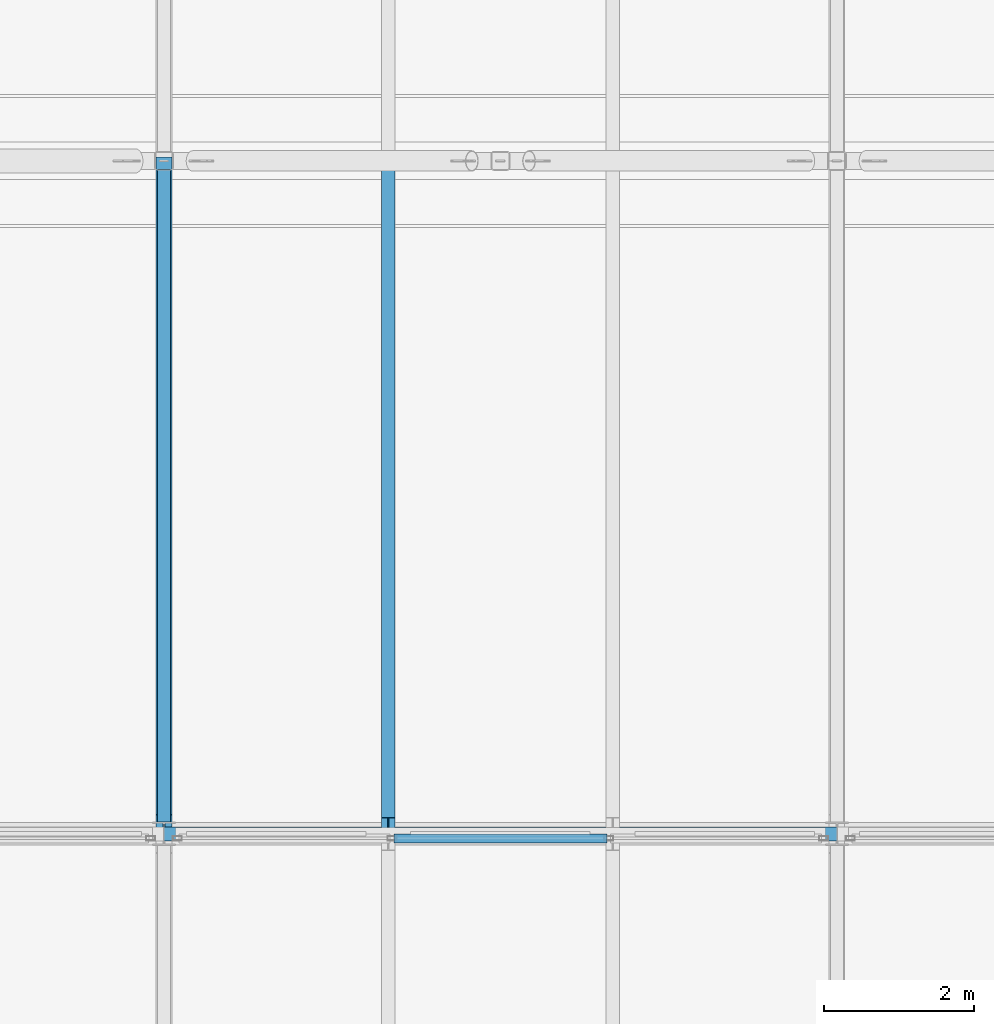
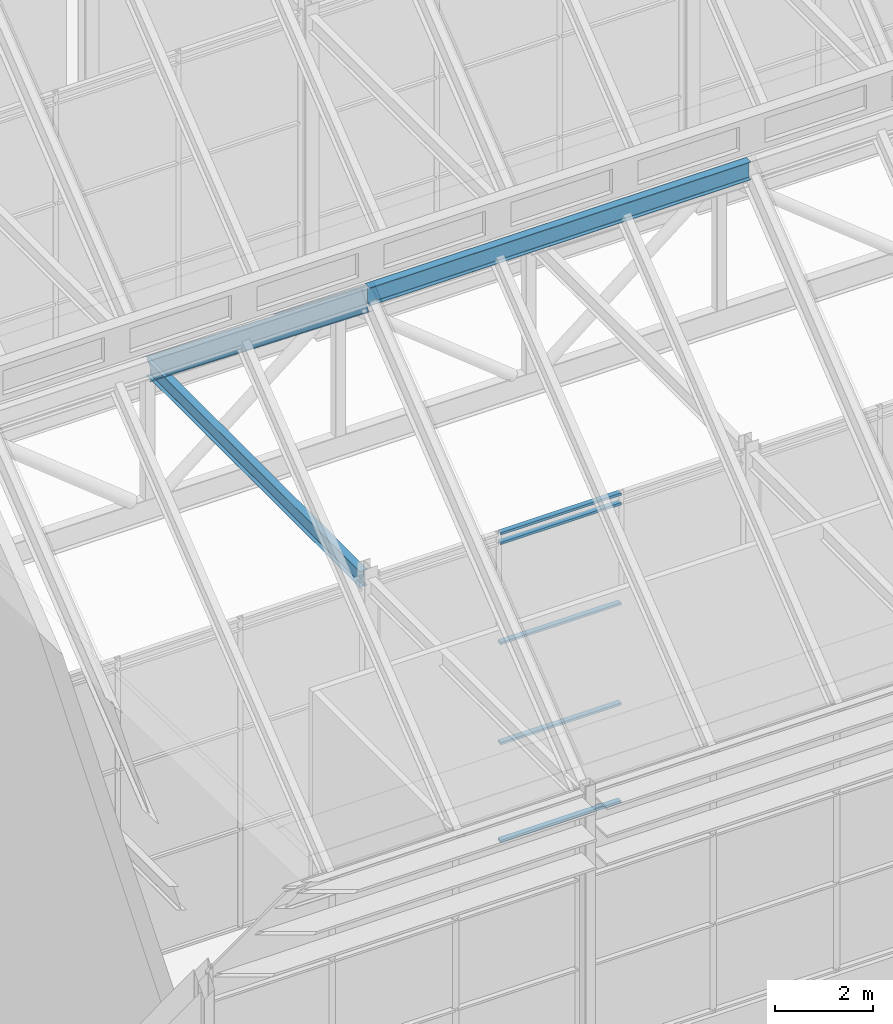
# One storey, part 30 of 144: 7 members, 2 beams, 1 element without a shape of its own.
"""IFC4 building model written with IfcOpenShell, lengths in metres."""

from ifc_helpers import new_model, si_unit, direction, frame, origin, origin_2d, place, context, subcontext, project, spatial, hollow_rectangle, i_section, extrude, material, layer, layer_set, material_profile, profile_set, type_object, element, aggregate, save


model = new_model("IFC4")

# Units and contexts
model_context = context("Model", 3, precision=1e-05, world=origin(), true_north=direction((0.0, 1.0)))
body_context = subcontext(model_context, "Body", "Model", "MODEL_VIEW")
ifc_project = project(units=[si_unit("LENGTHUNIT", "METRE"), si_unit("AREAUNIT", "SQUARE_METRE"), si_unit("VOLUMEUNIT", "CUBIC_METRE"), si_unit("PLANEANGLEUNIT", "RADIAN"), si_unit("MASSUNIT", "GRAM", prefix="KILO")], contexts=[model_context])

# Site, building, storey
site_placement = place(None, origin())
site = spatial("IfcSite", under=ifc_project, at=site_placement, CompositionType="ELEMENT")
building_placement = place(site_placement, origin())
building = spatial("IfcBuilding", under=site, at=building_placement, Name="Shorebreak Coast Museum", CompositionType="ELEMENT")
storey_placement = place(building_placement, frame((0.0, 0.0, 36.0)))
storey = spatial("IfcBuildingStorey", under=building, at=storey_placement, Name="L06", CompositionType="ELEMENT", Elevation=36.0)

# Members
ifc_material_1 = material(Name="Steel Grade 300", Category="steel")
ifc_material_profile_1 = material_profile(ifc_material_1, i_section(OverallWidth=0.177978515625, OverallDepth=0.402587890625, WebThickness=0.007568359375, FlangeThickness=0.010986328125, FilletRadius=0.011474609375, at=origin_2d()), Name="410UB53.7")
ifc_profile_set_1 = profile_set([ifc_material_profile_1], Name="Steel Grade 300")
member_type_1 = type_object("IfcMemberType", Name="Fold rafter 410UB53.7", PredefinedType="RAFTER", material=ifc_profile_set_1)
member_1_placement = place(storey_placement, frame((75.0, 63.094970703125, 14.610107421875), z_axis=(0.0, 0.780866693621, -0.624697692322), x_axis=(-1.0, 0.0, 0.0)))
element("IfcMember", 1, at=member_1_placement, inside=storey, type_object=member_type_1, Name="Fold rafter FOLD-X line 2 08", PredefinedType="RAFTER", context=body_context, shape_type="SweptSolid", body=[
    extrude(i_section(OverallWidth=0.177978515625, OverallDepth=0.402587890625, WebThickness=0.007568359375, FlangeThickness=0.010986328125, FilletRadius=0.011474609375, at=origin_2d()), origin(), (0.0, 0.0, 1.0), 11.25732421875),
])
ifc_material_2 = material(Name="Steel Grade 300", Category="steel")
ifc_material_profile_2 = material_profile(ifc_material_2, i_section(OverallWidth=0.208984375, OverallDepth=0.5283203125, WebThickness=0.009521484375, FlangeThickness=0.01318359375, FilletRadius=0.013916015625, at=origin_2d()), Name="530UB82.0")
ifc_profile_set_2 = profile_set([ifc_material_profile_2], Name="Steel Grade 300")
member_type_2 = type_object("IfcMemberType", Name="Fold rib rafter 530UB82.0", PredefinedType="RAFTER", material=ifc_profile_set_2)
member_2_placement = place(storey_placement, frame((72.0, 63.094970703125, 14.52978515625), z_axis=(0.0, 0.780866693621, -0.624697692322), x_axis=(-1.0, 0.0, 0.0)))
element("IfcMember", 2, at=member_2_placement, inside=storey, type_object=member_type_2, Name="Fold rib rafter FOLD-X line 2 07", PredefinedType="RAFTER", context=body_context, shape_type="SweptSolid", body=[
    extrude(i_section(OverallWidth=0.208984375, OverallDepth=0.5283203125, WebThickness=0.009521484375, FlangeThickness=0.01318359375, FilletRadius=0.013916015625, at=origin_2d()), origin(), (0.0, 0.0, 1.0), 11.25732421875),
])

# Beams
ifc_material_3 = material(Name="Steel Grade 300", Category="steel")
ifc_material_profile_3 = material_profile(ifc_material_3, i_section(OverallWidth=0.177978515625, OverallDepth=0.402587890625, WebThickness=0.007568359375, FlangeThickness=0.010986328125, FilletRadius=0.011474609375, at=origin_2d()), Name="410UB53.7")
ifc_profile_set_3 = profile_set([ifc_material_profile_3], Name="Steel Grade 300")
beam_type_1 = type_object("IfcBeamType", Name="Fold rib tie 410UB53.7", PredefinedType="BEAM", material=ifc_profile_set_3)
beam_1_placement = place(storey_placement, frame((72.0, 63.1572265625, 7.54248046875), z_axis=(0.0, 1.0, 0.0), x_axis=(-1.0, 0.0, 0.0)))
element("IfcBeam", 3, at=beam_1_placement, inside=storey, type_object=beam_type_1, Name="Fold rib tie FOLD-X rib 9 H-J", PredefinedType="BEAM", context=body_context, shape_type="SweptSolid", body=[
    extrude(i_section(OverallWidth=0.177978515625, OverallDepth=0.402587890625, WebThickness=0.007568359375, FlangeThickness=0.010986328125, FilletRadius=0.011474609375, at=origin_2d()), origin(), (0.0, 0.0, 1.0), 8.728271484375),
])
ifc_material_4 = material(Name="Steel Grade 300", Category="steel")
ifc_material_profile_4 = material_profile(ifc_material_4, i_section(OverallWidth=0.18994140625, OverallDepth=0.453857421875, WebThickness=0.008544921875, FlangeThickness=0.0126953125, FilletRadius=0.011474609375, at=origin_2d()), Name="460UB67.1")
ifc_profile_set_4 = profile_set([ifc_material_profile_4], Name="Steel Grade 300")
beam_type_2 = type_object("IfcBeamType", Name="Fold ridge beam 460UB67.1", PredefinedType="BEAM", material=ifc_profile_set_4)
beam_2_placement = place(storey_placement, frame((72.0, 63.0, 14.717041015625), z_axis=(1.0, 0.0, 0.0), x_axis=(0.0, 1.0, 0.0)))
element("IfcBeam", 4, at=beam_2_placement, inside=storey, type_object=beam_type_2, Name="Fold ridge beam FOLD-X line H bay 9H", PredefinedType="BEAM", context=body_context, shape_type="SweptSolid", body=[
    extrude(i_section(OverallWidth=0.18994140625, OverallDepth=0.453857421875, WebThickness=0.008544921875, FlangeThickness=0.0126953125, FilletRadius=0.011474609375, at=origin_2d()), origin(), (0.0, 0.0, 1.0), 9.0),
])

# Curtain wall, members
ifc_material_5 = material(Name="Aluminium", Category="aluminium")
ifc_layer = layer(ifc_material_5, 0.1201171875)
ifc_layer_set = layer_set([ifc_layer], Name="Aluminium")
curtain_wall_type = type_object("IfcCurtainWallType", Name="Atrium fire screen", PredefinedType="NOTDEFINED", material=ifc_layer_set)
curtain_wall_placement = place(storey_placement, origin())
curtain_wall = element("IfcCurtainWall", 5, at=curtain_wall_placement, inside=storey, type_object=curtain_wall_type, Name="Atrium screen L06 S 80", PredefinedType="NOTDEFINED")
ifc_material_6 = material(Name="Aluminium", Category="aluminium")
ifc_material_profile_5 = material_profile(ifc_material_6, hollow_rectangle(XDim=0.1201171875, YDim=0.06005859375, WallThickness=0.00341796875, at=origin_2d()), Name="AL 60x120 RHS")
ifc_profile_set_5 = profile_set([ifc_material_profile_5], Name="Aluminium")
member_type_3 = type_object("IfcMemberType", Name="Screen transom 120 x 50", PredefinedType="USERDEFINED", material=ifc_profile_set_5)
member_3_placement = place(storey_placement, frame((75.076171875, 62.93994140625, 0.06005859375), z_axis=(1.0, 0.0, 0.0), x_axis=(0.0, 1.0, 0.0)))
member_3 = element("IfcMember", 6, at=member_3_placement, type_object=member_type_3, Name="CW6 transom 2.1", ObjectType="TRANSOM", PredefinedType="USERDEFINED", context=body_context, shape_type="SweptSolid", body=[
    extrude(hollow_rectangle(XDim=0.1201171875, YDim=0.06005859375, WallThickness=0.00341796875, at=origin_2d()), origin(), (0.0, 0.0, 1.0), 2.84765625),
])
member_4_placement = place(storey_placement, frame((75.076171875, 62.93994140625, 2.5), z_axis=(1.0, 0.0, 0.0), x_axis=(0.0, 1.0, 0.0)))
member_4 = element("IfcMember", 7, at=member_4_placement, type_object=member_type_3, Name="CW6 transom 2.2", ObjectType="TRANSOM", PredefinedType="USERDEFINED", context=body_context, shape_type="SweptSolid", body=[
    extrude(hollow_rectangle(XDim=0.1201171875, YDim=0.06005859375, WallThickness=0.00341796875, at=origin_2d()), origin(), (0.0, 0.0, 1.0), 2.84765625),
])
member_5_placement = place(storey_placement, frame((75.076171875, 62.93994140625, 5.0), z_axis=(1.0, 0.0, 0.0), x_axis=(0.0, 1.0, 0.0)))
member_5 = element("IfcMember", 8, at=member_5_placement, type_object=member_type_3, Name="CW6 transom 2.3", ObjectType="TRANSOM", PredefinedType="USERDEFINED", context=body_context, shape_type="SweptSolid", body=[
    extrude(hollow_rectangle(XDim=0.1201171875, YDim=0.06005859375, WallThickness=0.00341796875, at=origin_2d()), origin(), (0.0, 0.0, 1.0), 2.84765625),
])
member_6_placement = place(storey_placement, frame((75.076171875, 62.93994140625, 7.5), z_axis=(1.0, 0.0, 0.0), x_axis=(0.0, 1.0, 0.0)))
member_6 = element("IfcMember", 9, at=member_6_placement, type_object=member_type_3, Name="CW6 transom 2.4", ObjectType="TRANSOM", PredefinedType="USERDEFINED", context=body_context, shape_type="SweptSolid", body=[
    extrude(hollow_rectangle(XDim=0.1201171875, YDim=0.06005859375, WallThickness=0.00341796875, at=origin_2d()), origin(), (0.0, 0.0, 1.0), 2.84765625),
])
member_7_placement = place(storey_placement, frame((75.076171875, 62.93994140625, 7.739990234375), z_axis=(1.0, 0.0, 0.0), x_axis=(0.0, 1.0, 0.0)))
member_7 = element("IfcMember", 10, at=member_7_placement, type_object=member_type_3, Name="CW6 transom 2.5", ObjectType="TRANSOM", PredefinedType="USERDEFINED", context=body_context, shape_type="SweptSolid", body=[
    extrude(hollow_rectangle(XDim=0.1201171875, YDim=0.06005859375, WallThickness=0.00341796875, at=origin_2d()), origin(), (0.0, 0.0, 1.0), 2.84765625),
])
aggregate(curtain_wall, [member_3, member_4, member_5, member_6, member_7])

save(model, "model.ifc")
